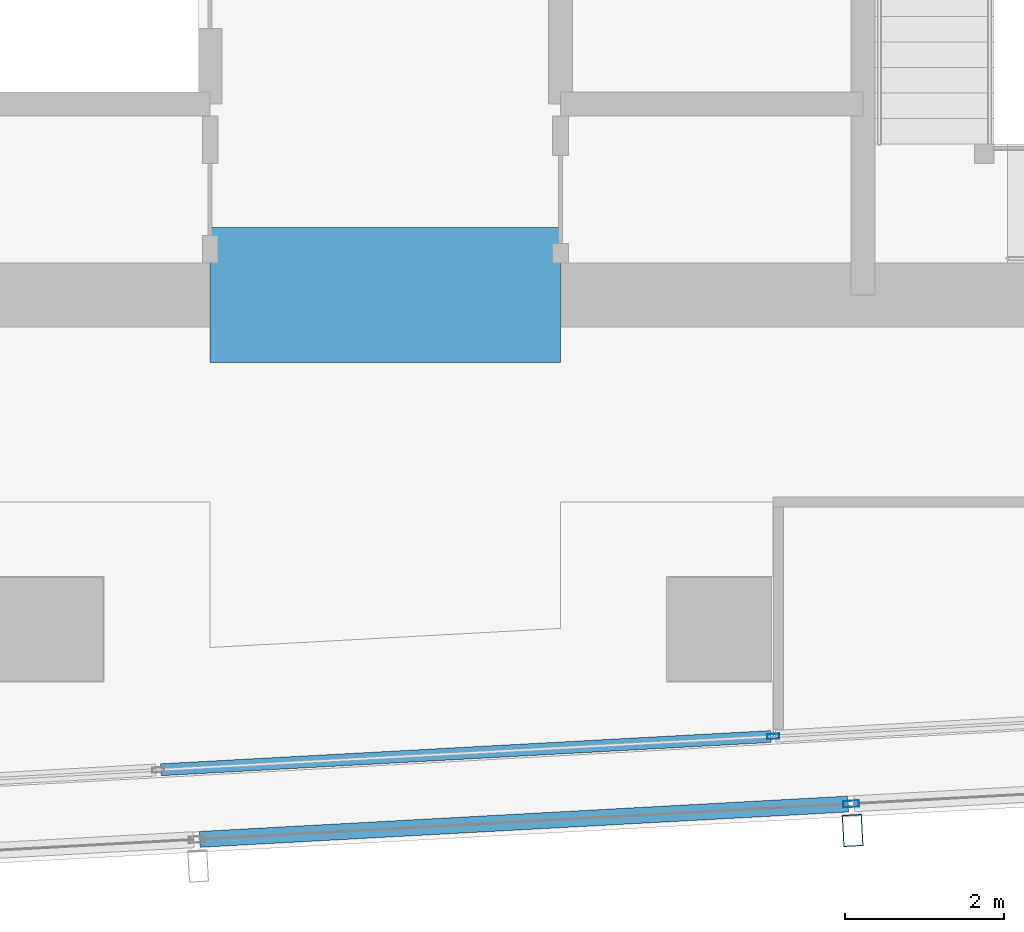
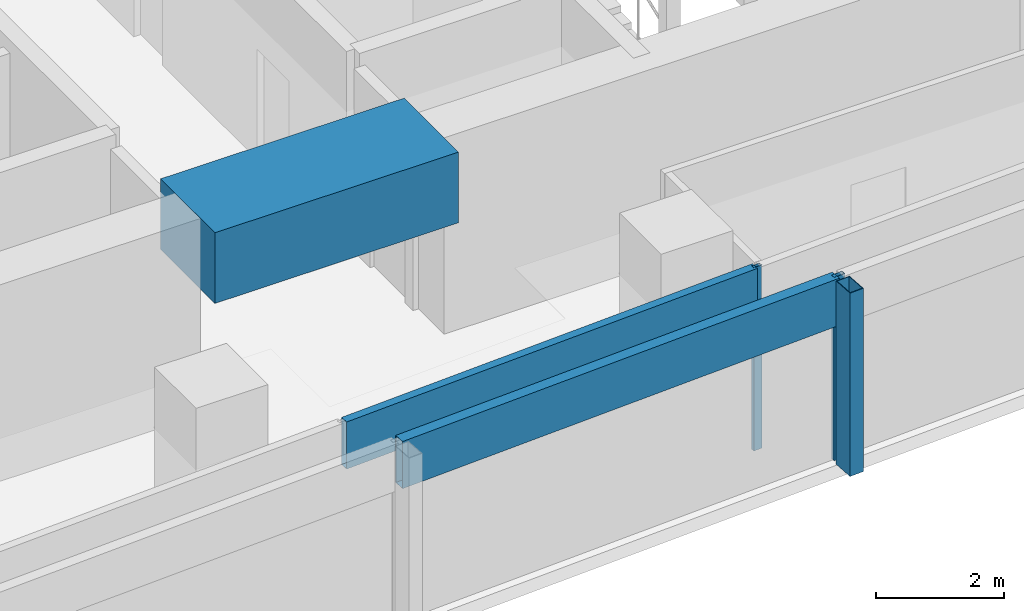
# One storey, part 9 of 29: 5 members, 1 beam, 2 elements without a shape of their own.
"""IFC4 building model written with IfcOpenShell, lengths in metres."""

from ifc_helpers import new_model, si_unit, direction, frame, origin, origin_2d, place, context, subcontext, project, spatial, rectangle, hollow_rectangle, extrude, material, material_profile, profile_set, type_object, element, aggregate, save


model = new_model("IFC4")

# Units and contexts
model_context = context("Model", 3, precision=1e-05, world=origin(), true_north=direction((0.0, 1.0)))
body_context = subcontext(model_context, "Body", "Model", "MODEL_VIEW")
ifc_project = project(units=[si_unit("LENGTHUNIT", "METRE"), si_unit("AREAUNIT", "SQUARE_METRE"), si_unit("VOLUMEUNIT", "CUBIC_METRE"), si_unit("PLANEANGLEUNIT", "RADIAN"), si_unit("MASSUNIT", "GRAM", prefix="KILO")], contexts=[model_context])

# Site, building, storey
site_placement = place(None, origin())
site = spatial("IfcSite", under=ifc_project, at=site_placement, CompositionType="ELEMENT")
building_placement = place(site_placement, origin())
building = spatial("IfcBuilding", under=site, at=building_placement, Name="Rekha Terrace Tower", CompositionType="ELEMENT")
storey_placement = place(building_placement, frame((0.0, 0.0, 261.35009765625)))
storey = spatial("IfcBuildingStorey", under=building, at=storey_placement, Name="L66", CompositionType="ELEMENT", Elevation=261.35009765625)

# Curtain wall, member
ifc_material_1 = material(Name="Aluminium framing", Category="aluminium")
curtain_wall_type_1 = type_object("IfcCurtainWallType", Name="CW2 double skin outer glazing", PredefinedType="USERDEFINED", material=ifc_material_1)
curtain_wall_1_placement = place(storey_placement, origin())
curtain_wall_1 = element("IfcCurtainWall", 1, at=curtain_wall_1_placement, inside=storey, type_object=curtain_wall_type_1, Name="CW2 double skin outer glazing", ObjectType="DOUBLE SKIN OUTER GLAZING", PredefinedType="USERDEFINED")
ifc_material_2 = material(Name="Steel S355 with fluorocarbon finish", Category="steel")
ifc_material_profile_1 = material_profile(ifc_material_2, hollow_rectangle(XDim=0.25, YDim=0.39990234375, WallThickness=0.012451171875, at=origin_2d()), Name="RHS400x250x12.5")
ifc_profile_set_1 = profile_set([ifc_material_profile_1], Name="Steel S355 with fluorocarbon finish")
member_type_1 = type_object("IfcMemberType", Name="BL1 facade blade RHS 400 x 250", PredefinedType="USERDEFINED", material=ifc_profile_set_1)
member_1_placement = place(storey_placement, frame((43.67138671875, 14.271728515625, 0.0), z_axis=(0.0, 0.0, 1.0), x_axis=(0.99851982155, 0.054389024366, 0.0)))
member_1 = element("IfcMember", 2, at=member_1_placement, type_object=member_type_1, Name="Facade blade", ObjectType="FACADE BLADE", PredefinedType="USERDEFINED", context=body_context, shape_type="SweptSolid", body=[
    extrude(hollow_rectangle(XDim=0.25, YDim=0.39990234375, WallThickness=0.012451171875, at=origin_2d()), origin(), (0.0, 0.0, 1.0), 3.5),
])

# Curtain wall, members
curtain_wall_type_2 = type_object("IfcCurtainWallType", Name="CW1 double skin inner glazing", PredefinedType="USERDEFINED", material=ifc_material_1)
curtain_wall_2_placement = place(storey_placement, origin())
curtain_wall_2 = element("IfcCurtainWall", 3, at=curtain_wall_2_placement, inside=storey, type_object=curtain_wall_type_2, Name="CW1 double skin inner glazing", ObjectType="DOUBLE SKIN INNER GLAZING", PredefinedType="USERDEFINED")
ifc_material_3 = material(Name="Aluminium mullion section", Category="aluminium")
ifc_material_profile_2 = material_profile(ifc_material_3, hollow_rectangle(XDim=0.06494140625, YDim=0.14990234375, WallThickness=0.00390625, at=origin_2d()), Name="AL RHS 65x150")
ifc_profile_set_2 = profile_set([ifc_material_profile_2], Name="Aluminium mullion section")
member_type_2 = type_object("IfcMemberType", Name="CW1 mullion RHS 65 x 150", PredefinedType="MULLION", material=ifc_profile_set_2)
member_2_placement = place(storey_placement, frame((42.673583984375, 15.4541015625, 0.0), z_axis=(0.0, 0.0, 1.0), x_axis=(-0.054388903036, 0.998519828159, 0.0)))
member_2 = element("IfcMember", 4, at=member_2_placement, type_object=member_type_2, Name="CW1 mullion 3", PredefinedType="MULLION", context=body_context, shape_type="SweptSolid", body=[
    extrude(hollow_rectangle(XDim=0.06494140625, YDim=0.14990234375, WallThickness=0.00390625, at=origin_2d()), origin(), (0.0, 0.0, 1.0), 3.5),
])
ifc_material_4 = material(Name="Insulated aluminium spandrel box", Category="aluminium")
ifc_material_profile_3 = material_profile(ifc_material_4, hollow_rectangle(XDim=0.14990234375, YDim=0.89990234375, WallThickness=0.0029296875, at=origin_2d()), Name="AL SPANDREL BOX 150x900")
ifc_profile_set_3 = profile_set([ifc_material_profile_3], Name="Insulated aluminium spandrel box")
member_type_3 = type_object("IfcMemberType", Name="CW1 spandrel transom 150 x 900", PredefinedType="USERDEFINED", material=ifc_profile_set_3)
member_3_placement = place(storey_placement, frame((34.980224609375, 15.03515625, 3.0498046875), z_axis=(0.998520172557, 0.054382579907, 0.0), x_axis=(-0.054382579907, 0.998520172557, 0.0)))
member_3 = element("IfcMember", 5, at=member_3_placement, type_object=member_type_3, Name="CW1 spandrel transom 2", ObjectType="TRANSOM", PredefinedType="USERDEFINED", context=body_context, shape_type="SweptSolid", body=[
    extrude(hollow_rectangle(XDim=0.14990234375, YDim=0.89990234375, WallThickness=0.0029296875, at=origin_2d()), origin(), (0.0, 0.0, 1.0), 7.67236328125),
])
aggregate(curtain_wall_2, [member_2, member_3])

# Member
ifc_material_profile_4 = material_profile(ifc_material_3, hollow_rectangle(XDim=0.080078125, YDim=0.199951171875, WallThickness=0.00390625, at=origin_2d()), Name="AL RHS 80x200")
ifc_profile_set_4 = profile_set([ifc_material_profile_4], Name="Aluminium mullion section")
member_type_4 = type_object("IfcMemberType", Name="CW2 mullion RHS 80 x 200", PredefinedType="MULLION", material=ifc_profile_set_4)
member_4_placement = place(storey_placement, frame((43.6533203125, 14.606201171875, 0.0), z_axis=(0.0, 0.0, 1.0), x_axis=(-0.054388903071, 0.998519828157, 0.0)))
member_4 = element("IfcMember", 6, at=member_4_placement, type_object=member_type_4, Name="CW2 mullion 3", PredefinedType="MULLION", context=body_context, shape_type="SweptSolid", body=[
    extrude(hollow_rectangle(XDim=0.080078125, YDim=0.199951171875, WallThickness=0.00390625, at=origin_2d()), origin(), (0.0, 0.0, 1.0), 3.5),
])

ifc_material_profile_5 = material_profile(ifc_material_4, hollow_rectangle(XDim=0.199951171875, YDim=0.89990234375, WallThickness=0.0029296875, at=origin_2d()), Name="AL SPANDREL BOX 200x900")
ifc_profile_set_5 = profile_set([ifc_material_profile_5], Name="Insulated aluminium spandrel box")
member_type_5 = type_object("IfcMemberType", Name="CW2 spandrel transom 200 x 900", PredefinedType="USERDEFINED", material=ifc_profile_set_5)
member_5_placement = place(storey_placement, frame((35.469970703125, 14.160400390625, 3.0498046875), z_axis=(0.998519553524, 0.054393944798, 0.0), x_axis=(-0.054393944798, 0.998519553524, 0.0)))
member_5 = element("IfcMember", 7, at=member_5_placement, type_object=member_type_5, Name="CW2 spandrel transom 2", ObjectType="TRANSOM", PredefinedType="USERDEFINED", context=body_context, shape_type="SweptSolid", body=[
    extrude(hollow_rectangle(XDim=0.199951171875, YDim=0.89990234375, WallThickness=0.0029296875, at=origin_2d()), origin(), (0.0, 0.0, 1.0), 8.1552734375),
])

aggregate(curtain_wall_1, [member_4, member_5, member_1])

# Beam
ifc_material_5 = material(Name="Concrete M60", Category="concrete")
ifc_material_profile_6 = material_profile(ifc_material_5, rectangle(XDim=1.699951171875, YDim=1.35009765625, at=origin_2d()), Name="RC 1700x1350")
ifc_profile_set_6 = profile_set([ifc_material_profile_6], Name="Concrete M60")
beam_type = type_object("IfcBeamType", Name="LB5A 1700x1350 diagonally reinforced coupling beam", PredefinedType="LINTEL", material=ifc_profile_set_6)
beam_placement = place(storey_placement, frame((35.60009765625, 21.0, 3.074951171875), z_axis=(1.0, 0.0, 0.0), x_axis=(0.0, 1.0, 0.0)))
element("IfcBeam", 8, at=beam_placement, inside=storey, type_object=beam_type, Name="Coupling beam LB5A S L66", PredefinedType="LINTEL", context=body_context, shape_type="SweptSolid", body=[
    extrude(rectangle(XDim=1.699951171875, YDim=1.35009765625, at=origin_2d()), origin(), (0.0, 0.0, 1.0), 4.39990234375),
])

save(model, "model.ifc")
